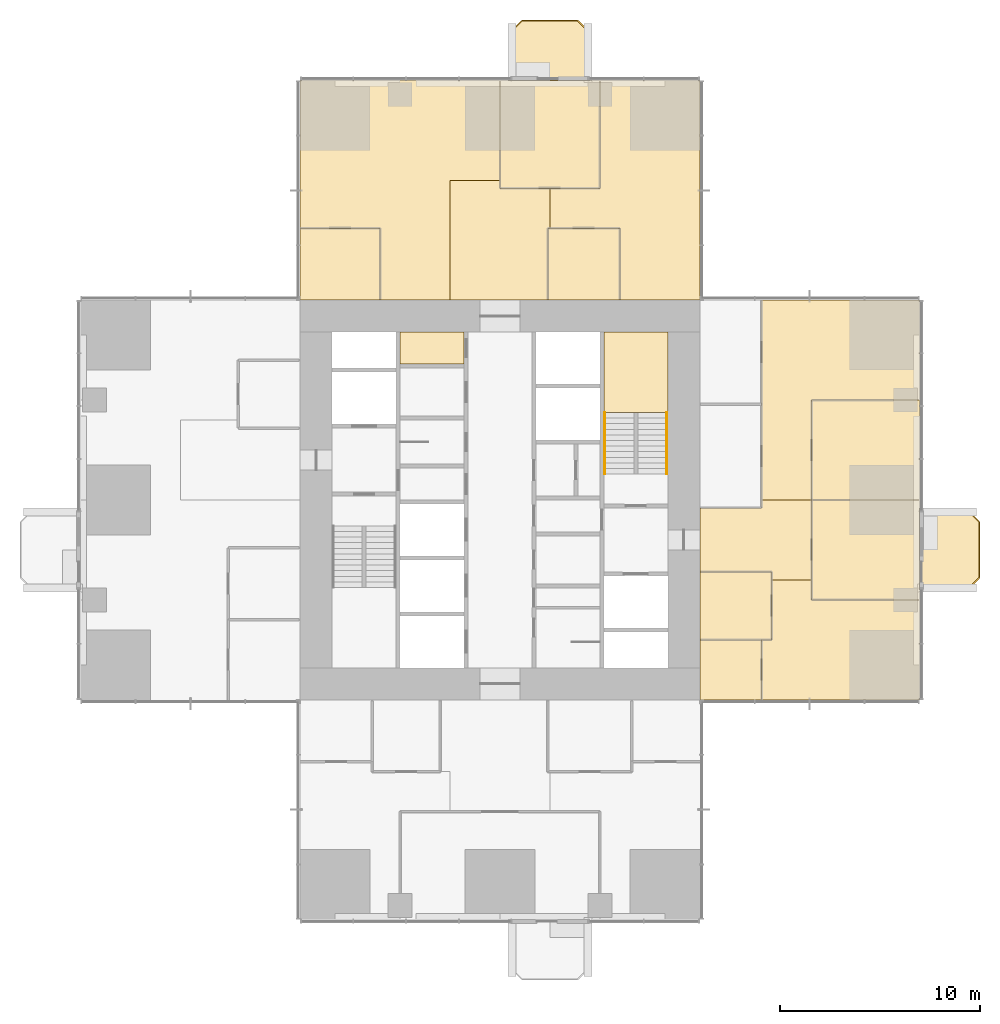
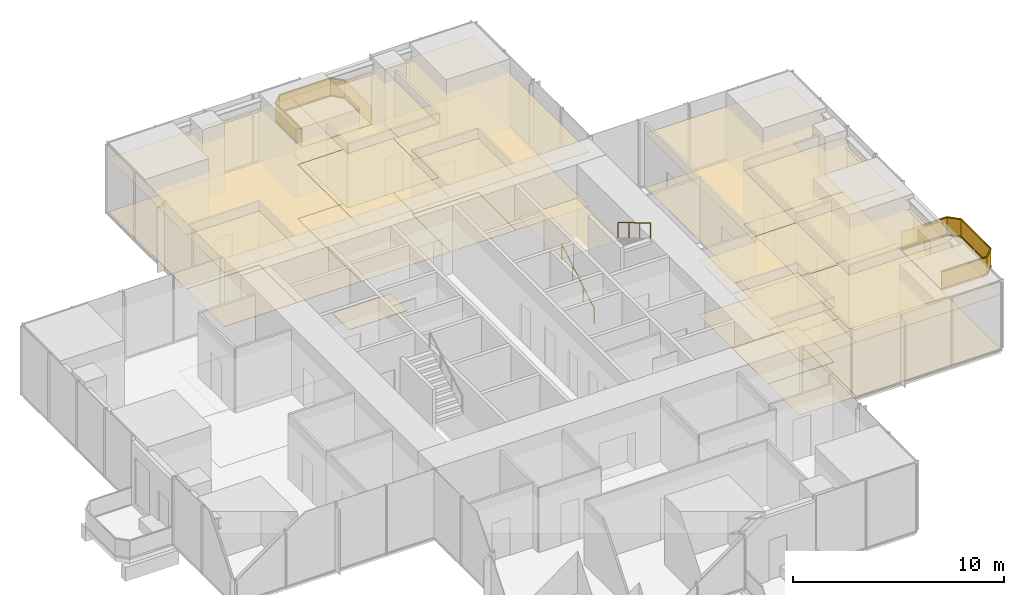
# One storey, part 12 of 13: 30 coverings, 4 railings.
"""IFC4 building model written with IfcOpenShell, lengths in metres."""

import ifcopenshell
import ifcopenshell.guid

model = None  # the IFC model being written
_history = None  # IfcOwnerHistory: only IFC2X3 demands one
_inside = {}  # id of a spatial element -> (the spatial element, [elements in it])
_under = {}  # id of a project, library or spatial element -> (it, [spatial elements below it])
_declared = {}  # id of a project -> (the project, [libraries it declares])
_typed = {}  # id of a type object -> (the type object, [elements of that type])
_made_of = {}  # id of a material, layer set ... -> (it, [elements and type objects made of it])


def new_model(schema):
    """Start an empty IFC model of exactly this schema.

    Asked for "IFC4X3", IfcOpenShell would pick the latest addendum, in which some entities
    have other attributes; the version numbers below select the first issue.
    IFC2X3 requires an IfcOwnerHistory on every rooted entity: one is made here for all.
    """
    global model, _history
    if schema == "IFC4X3":
        model = ifcopenshell.file(schema_version=(4, 3, 0, 0))
    else:
        model = ifcopenshell.file(schema=schema)
    _inside.clear()
    _under.clear()
    _declared.clear()
    _typed.clear()
    _made_of.clear()
    _history = None
    if model.schema == "IFC2X3":
        org = make("IfcOrganization", Name="unknown")
        user = make(
            "IfcPersonAndOrganization",
            ThePerson=make("IfcPerson", FamilyName="unknown"),
            TheOrganization=org,
        )
        app = make(
            "IfcApplication",
            ApplicationDeveloper=org,
            Version="unknown",
            ApplicationFullName="unknown",
            ApplicationIdentifier="unknown",
        )
        _history = make(
            "IfcOwnerHistory",
            OwningUser=user,
            OwningApplication=app,
            ChangeAction="ADDED",
            CreationDate=0,
        )
    return model


def make(cls, **values):
    """One entity of the class cls with the attributes given. An attribute that is None is left unset."""
    return model.create_entity(
        cls, **{name: value for name, value in values.items() if value is not None}
    )


def rooted(cls, **values):
    """An entity with a GlobalId (a new one), such as an element, a storey or a relation."""
    return make(cls, GlobalId=ifcopenshell.guid.new(), OwnerHistory=_history, **values)


def si_unit(unit_type, name, prefix=None):
    """IfcSIUnit, for example si_unit("LENGTHUNIT", "METRE", prefix="MILLI")."""
    return make("IfcSIUnit", UnitType=unit_type, Prefix=prefix, Name=name)


def assignment(units):
    """IfcUnitAssignment: the units of a project."""
    return None if units is None else make("IfcUnitAssignment", Units=units)


def point(xyz):
    """IfcCartesianPoint."""
    return None if xyz is None else make("IfcCartesianPoint", Coordinates=xyz)


def direction(xyz):
    """IfcDirection."""
    return None if xyz is None else make("IfcDirection", DirectionRatios=xyz)


def frame(location, z_axis=None, x_axis=None):
    """IfcAxis2Placement3D, a coordinate frame: its origin and axes. An axis left out is left unset."""
    return make(
        "IfcAxis2Placement3D",
        Location=point(location),
        Axis=direction(z_axis),
        RefDirection=direction(x_axis),
    )


def frame_2d(location, x_axis=None):
    """IfcAxis2Placement2D, a coordinate frame in the plane: its origin and x axis."""
    return make(
        "IfcAxis2Placement2D", Location=point(location), RefDirection=direction(x_axis)
    )


def origin():
    """The frame at (0, 0, 0) with its axes left unset."""
    return frame((0.0, 0.0, 0.0))


def origin_2d():
    """The frame at (0, 0) in the plane with its x axis left unset."""
    return frame_2d((0.0, 0.0))


def place(relative_to, where):
    """IfcLocalPlacement: puts the frame where relative to a parent placement (None: the world)."""
    return make(
        "IfcLocalPlacement", PlacementRelTo=relative_to, RelativePlacement=where
    )


def context(
    kind, dimensions, precision=None, world=None, true_north=None, identifier=None
):
    """IfcGeometricRepresentationContext, for example the 3D "Model" context."""
    return make(
        "IfcGeometricRepresentationContext",
        ContextIdentifier=identifier,
        ContextType=kind,
        CoordinateSpaceDimension=dimensions,
        Precision=precision,
        WorldCoordinateSystem=world,
        TrueNorth=true_north,
    )


def subcontext(parent, identifier, kind, view, scale=None):
    """IfcGeometricRepresentationSubContext, for example "Body" below "Model"."""
    return make(
        "IfcGeometricRepresentationSubContext",
        ContextIdentifier=identifier,
        ContextType=kind,
        ParentContext=parent,
        TargetScale=scale,
        TargetView=view,
    )


def project(units=None, contexts=None):
    """IfcProject with its units and contexts."""
    return rooted(
        "IfcProject",
        Name="project",
        RepresentationContexts=contexts,
        UnitsInContext=assignment(units),
    )


def spatial(cls, under=None, at=None, **own):
    """A site, building, storey or space (cls), placed at a placement, below another one or the project."""
    s = rooted(cls, ObjectPlacement=at, **own)
    if under is not None:
        _under.setdefault(under.id(), (under, []))[1].append(s)
    return s


def polyline(points):
    """IfcPolyline through the points."""
    return make("IfcPolyline", Points=[point(p) for p in points])


def profile(cls, at=None, kind="AREA", **sizes):
    """A parametric profile (cls). Its sizes go by their IFC names, for example OverallWidth=200.0."""
    return make(cls, ProfileType=kind, Position=at, **sizes)


def rectangle(**sizes):
    """IfcRectangleProfileDef."""
    return profile("IfcRectangleProfileDef", **sizes)


def circle(**sizes):
    """IfcCircleProfileDef."""
    return profile("IfcCircleProfileDef", **sizes)


def outline(outer, holes=None, kind="AREA"):
    """IfcArbitraryClosedProfileDef: a profile drawn as a closed curve; with holes, ...WithVoids."""
    if holes is None:
        return make("IfcArbitraryClosedProfileDef", ProfileType=kind, OuterCurve=outer)
    return make(
        "IfcArbitraryProfileDefWithVoids",
        ProfileType=kind,
        OuterCurve=outer,
        InnerCurves=holes,
    )


def extrude(swept, where, along, depth):
    """IfcExtrudedAreaSolid: the profile swept, set in the frame where, extruded along a direction by depth."""
    return make(
        "IfcExtrudedAreaSolid",
        SweptArea=swept,
        Position=where,
        ExtrudedDirection=direction(along),
        Depth=depth,
    )


def shape(context_of_items, identifier, shape_type, items):
    """IfcShapeRepresentation: the items that make up one representation, for example the "Body"."""
    return make(
        "IfcShapeRepresentation",
        ContextOfItems=context_of_items,
        RepresentationIdentifier=identifier,
        RepresentationType=shape_type,
        Items=items,
    )


def material(Name=None, Category=None):
    """IfcMaterial."""
    return make("IfcMaterial", Name=Name, Category=Category)


def layer(
    of_material, thickness, ventilated=None, Name=None, Category=None, Priority=None
):
    """IfcMaterialLayer: one layer of a wall or slab, of a material (None: an air gap)."""
    return make(
        "IfcMaterialLayer",
        Material=of_material,
        LayerThickness=thickness,
        IsVentilated=ventilated,
        Name=Name,
        Category=Category,
        Priority=Priority,
    )


def layer_set(layers, Name=None):
    """IfcMaterialLayerSet."""
    return make("IfcMaterialLayerSet", MaterialLayers=layers, LayerSetName=Name)


def made_of(thing, what):
    """Note that an element or type object is made of a material, layer set ...; save() writes the relation."""
    if what is not None:
        _made_of.setdefault(what.id(), (what, []))[1].append(thing)
    return thing


def type_object(cls, material=None, **own):
    """A type object (cls), such as IfcWallType, which elements share."""
    return made_of(rooted(cls, **own), material)


def element(
    cls,
    number,
    at=None,
    inside=None,
    cuts=None,
    type_object=None,
    material=None,
    context=None,
    identifier="Body",
    shape_type=None,
    held_by="IfcProductDefinitionShape",
    body=None,
    shapes=None,
    **own,
):
    """One element of the class cls, such as IfcWall. Its Tag is "e" and its number.

    at: its placement. inside: the storey or other place that contains it. cuts: it is an
    opening in that element (IfcRelVoidsElement). A single representation is given by context,
    identifier, shape_type and body (its items); several are given by shapes. held_by: the class
    of the entity that holds the representations. save() writes the other relations.
    """
    e = rooted(cls, Tag="e%d" % number, ObjectPlacement=at, **own)
    if body is not None:
        shapes = [shape(context, identifier, shape_type, body)]
    if shapes is not None:
        e.Representation = make(held_by, Representations=shapes)
    if inside is not None:
        _inside.setdefault(inside.id(), (inside, []))[1].append(e)
    if cuts is not None:
        rooted(
            "IfcRelVoidsElement", RelatingBuildingElement=cuts, RelatedOpeningElement=e
        )
    if type_object is not None:
        _typed.setdefault(type_object.id(), (type_object, []))[1].append(e)
    return made_of(e, material)


def aggregate(whole, parts):
    """IfcRelAggregates: a whole, such as a stair, and the parts it consists of."""
    return rooted("IfcRelAggregates", RelatingObject=whole, RelatedObjects=parts)


def save(model, path):
    """Write the relations noted so far, then the file.

    IfcRelAggregates (storeys below a building ...), IfcRelContainedInSpatialStructure (elements
    in a storey), IfcRelDefinesByType, IfcRelAssociatesMaterial and IfcRelDeclares: one each for
    every whole, place, type object, material and project.
    """
    for whole, parts in _under.values():
        aggregate(whole, parts)
    for where, things in _inside.values():
        rooted(
            "IfcRelContainedInSpatialStructure",
            RelatedElements=things,
            RelatingStructure=where,
        )
    for kind, things in _typed.values():
        rooted("IfcRelDefinesByType", RelatedObjects=things, RelatingType=kind)
    for what, things in _made_of.values():
        rooted("IfcRelAssociatesMaterial", RelatedObjects=things, RelatingMaterial=what)
    for by, libraries in _declared.values():
        rooted("IfcRelDeclares", RelatingContext=by, RelatedDefinitions=libraries)
    model.write(path)


model = new_model("IFC4")

# Units and contexts
model_context = context("Model", 3, precision=1e-05, world=origin(), true_north=direction((0.0, 1.0)))
body_context = subcontext(model_context, "Body", "Model", "MODEL_VIEW")
ifc_project = project(units=[si_unit("LENGTHUNIT", "METRE"), si_unit("AREAUNIT", "SQUARE_METRE"), si_unit("VOLUMEUNIT", "CUBIC_METRE"), si_unit("PLANEANGLEUNIT", "RADIAN"), si_unit("MASSUNIT", "GRAM", prefix="KILO")], contexts=[model_context])

# Site, building, storey
site_placement = place(None, origin())
site = spatial("IfcSite", under=ifc_project, at=site_placement, CompositionType="ELEMENT")
building_placement = place(site_placement, origin())
building = spatial("IfcBuilding", under=site, at=building_placement, Name="Svetlomir Tower", CompositionType="ELEMENT")
storey_placement = place(building_placement, frame((0.0, 0.0, 96.5)))
storey = spatial("IfcBuildingStorey", under=building, at=storey_placement, Name="L22", CompositionType="ELEMENT", Elevation=96.5)

# Railings
ifc_material_1 = material(Name="Bronze anodised aluminium and laminated glass", Category="aluminium")
railing_type_1 = type_object("IfcRailingType", Name="BALCONY GUARD GR1 1100", PredefinedType="GUARDRAIL", material=ifc_material_1)
railing_1_placement = place(storey_placement, frame((42.0, 16.60009765625, 0.0)))
element("IfcRailing", 1, at=railing_1_placement, inside=storey, type_object=railing_type_1, Name="Balcony guard E L22", PredefinedType="GUARDRAIL", context=body_context, shape_type="SweptSolid", body=[
    extrude(rectangle(XDim=0.06005859375, YDim=0.10009765625, at=origin_2d()), frame((0.0, 0.0, 0.050048828125), z_axis=(1.0, 0.0, 0.0), x_axis=(0.0, 1.0, 0.0)), (0.0, 0.0, 1.0), 2.5),
    extrude(rectangle(XDim=0.021484375, YDim=0.960205078125, at=origin_2d()), frame((0.0, 0.0, 0.580078125), z_axis=(1.0, 0.0, 0.0), x_axis=(0.0, 1.0, 0.0)), (0.0, 0.0, 1.0), 2.5),
    extrude(rectangle(XDim=0.06005859375, YDim=0.0400390625, at=origin_2d()), frame((0.0, 0.0, 1.080078125), z_axis=(1.0, 0.0, 0.0), x_axis=(0.0, 1.0, 0.0)), (0.0, 0.0, 1.0), 2.5),
    extrude(rectangle(XDim=0.06005859375, YDim=0.10009765625, at=origin_2d()), frame((2.5, 0.0, 0.050048828125), z_axis=(0.707106781187, 0.707106781187, 0.0), x_axis=(-0.707106781187, 0.707106781187, 0.0)), (0.0, 0.0, 1.0), 0.70703125),
    extrude(rectangle(XDim=0.021484375, YDim=0.960205078125, at=origin_2d()), frame((2.5, 0.0, 0.580078125), z_axis=(0.707106781187, 0.707106781187, 0.0), x_axis=(-0.707106781187, 0.707106781187, 0.0)), (0.0, 0.0, 1.0), 0.70703125),
    extrude(rectangle(XDim=0.06005859375, YDim=0.0400390625, at=origin_2d()), frame((2.5, 0.0, 1.080078125), z_axis=(0.707106781187, 0.707106781187, 0.0), x_axis=(-0.707106781187, 0.707106781187, 0.0)), (0.0, 0.0, 1.0), 0.70703125),
    extrude(rectangle(XDim=0.06005859375, YDim=0.10009765625, at=origin_2d()), frame((3.0, 0.5, 0.050048828125), z_axis=(0.0, 1.0, 0.0), x_axis=(-1.0, 0.0, 0.0)), (0.0, 0.0, 1.0), 2.7998046875),
    extrude(rectangle(XDim=0.021484375, YDim=0.960205078125, at=origin_2d()), frame((3.0, 0.5, 0.580078125), z_axis=(0.0, 1.0, 0.0), x_axis=(-1.0, 0.0, 0.0)), (0.0, 0.0, 1.0), 2.7998046875),
    extrude(rectangle(XDim=0.06005859375, YDim=0.0400390625, at=origin_2d()), frame((3.0, 0.5, 1.080078125), z_axis=(0.0, 1.0, 0.0), x_axis=(-1.0, 0.0, 0.0)), (0.0, 0.0, 1.0), 2.7998046875),
    extrude(rectangle(XDim=0.06005859375, YDim=0.10009765625, at=origin_2d()), frame((3.0, 3.2998046875, 0.050048828125), z_axis=(-0.707106781187, 0.707106781187, 0.0), x_axis=(-0.707106781187, -0.707106781187, 0.0)), (0.0, 0.0, 1.0), 0.70703125),
    extrude(rectangle(XDim=0.021484375, YDim=0.960205078125, at=origin_2d()), frame((3.0, 3.2998046875, 0.580078125), z_axis=(-0.707106781187, 0.707106781187, 0.0), x_axis=(-0.707106781187, -0.707106781187, 0.0)), (0.0, 0.0, 1.0), 0.70703125),
    extrude(rectangle(XDim=0.06005859375, YDim=0.0400390625, at=origin_2d()), frame((3.0, 3.2998046875, 1.080078125), z_axis=(-0.707106781187, 0.707106781187, 0.0), x_axis=(-0.707106781187, -0.707106781187, 0.0)), (0.0, 0.0, 1.0), 0.70703125),
    extrude(rectangle(XDim=0.06005859375, YDim=0.10009765625, at=origin_2d()), frame((2.5, 3.7998046875, 0.050048828125), z_axis=(-1.0, 0.0, 0.0), x_axis=(0.0, -1.0, 0.0)), (0.0, 0.0, 1.0), 2.5),
    extrude(rectangle(XDim=0.021484375, YDim=0.960205078125, at=origin_2d()), frame((2.5, 3.7998046875, 0.580078125), z_axis=(-1.0, 0.0, 0.0), x_axis=(0.0, -1.0, 0.0)), (0.0, 0.0, 1.0), 2.5),
    extrude(rectangle(XDim=0.06005859375, YDim=0.0400390625, at=origin_2d()), frame((2.5, 3.7998046875, 1.080078125), z_axis=(-1.0, 0.0, 0.0), x_axis=(0.0, -1.0, 0.0)), (0.0, 0.0, 1.0), 2.5),
])
railing_2_placement = place(storey_placement, frame((25.39990234375, 42.0, 0.0)))
element("IfcRailing", 2, at=railing_2_placement, inside=storey, type_object=railing_type_1, Name="Balcony guard N L22", PredefinedType="GUARDRAIL", context=body_context, shape_type="SweptSolid", body=[
    extrude(rectangle(XDim=0.06005859375, YDim=0.10009765625, at=origin_2d()), frame((0.0, 0.0, 0.050048828125), z_axis=(0.0, 1.0, 0.0), x_axis=(-1.0, 0.0, 0.0)), (0.0, 0.0, 1.0), 2.5),
    extrude(rectangle(XDim=0.021484375, YDim=0.960205078125, at=origin_2d()), frame((0.0, 0.0, 0.580078125), z_axis=(0.0, 1.0, 0.0), x_axis=(-1.0, 0.0, 0.0)), (0.0, 0.0, 1.0), 2.5),
    extrude(rectangle(XDim=0.06005859375, YDim=0.0400390625, at=origin_2d()), frame((0.0, 0.0, 1.080078125), z_axis=(0.0, 1.0, 0.0), x_axis=(-1.0, 0.0, 0.0)), (0.0, 0.0, 1.0), 2.5),
    extrude(rectangle(XDim=0.06005859375, YDim=0.10009765625, at=origin_2d()), frame((0.0, 2.5, 0.050048828125), z_axis=(-0.707106781187, 0.707106781187, 0.0), x_axis=(-0.707106781187, -0.707106781187, 0.0)), (0.0, 0.0, 1.0), 0.70703125),
    extrude(rectangle(XDim=0.021484375, YDim=0.960205078125, at=origin_2d()), frame((0.0, 2.5, 0.580078125), z_axis=(-0.707106781187, 0.707106781187, 0.0), x_axis=(-0.707106781187, -0.707106781187, 0.0)), (0.0, 0.0, 1.0), 0.70703125),
    extrude(rectangle(XDim=0.06005859375, YDim=0.0400390625, at=origin_2d()), frame((0.0, 2.5, 1.080078125), z_axis=(-0.707106781187, 0.707106781187, 0.0), x_axis=(-0.707106781187, -0.707106781187, 0.0)), (0.0, 0.0, 1.0), 0.70703125),
    extrude(rectangle(XDim=0.06005859375, YDim=0.10009765625, at=origin_2d()), frame((-0.5, 3.0, 0.050048828125), z_axis=(-1.0, 0.0, 0.0), x_axis=(0.0, -1.0, 0.0)), (0.0, 0.0, 1.0), 2.7998046875),
    extrude(rectangle(XDim=0.021484375, YDim=0.960205078125, at=origin_2d()), frame((-0.5, 3.0, 0.580078125), z_axis=(-1.0, 0.0, 0.0), x_axis=(0.0, -1.0, 0.0)), (0.0, 0.0, 1.0), 2.7998046875),
    extrude(rectangle(XDim=0.06005859375, YDim=0.0400390625, at=origin_2d()), frame((-0.5, 3.0, 1.080078125), z_axis=(-1.0, 0.0, 0.0), x_axis=(0.0, -1.0, 0.0)), (0.0, 0.0, 1.0), 2.7998046875),
    extrude(rectangle(XDim=0.06005859375, YDim=0.10009765625, at=origin_2d()), frame((-3.2998046875, 3.0, 0.050048828125), z_axis=(-0.707106781187, -0.707106781187, 0.0), x_axis=(0.707106781187, -0.707106781187, 0.0)), (0.0, 0.0, 1.0), 0.70703125),
    extrude(rectangle(XDim=0.021484375, YDim=0.960205078125, at=origin_2d()), frame((-3.2998046875, 3.0, 0.580078125), z_axis=(-0.707106781187, -0.707106781187, 0.0), x_axis=(0.707106781187, -0.707106781187, 0.0)), (0.0, 0.0, 1.0), 0.70703125),
    extrude(rectangle(XDim=0.06005859375, YDim=0.0400390625, at=origin_2d()), frame((-3.2998046875, 3.0, 1.080078125), z_axis=(-0.707106781187, -0.707106781187, 0.0), x_axis=(0.707106781187, -0.707106781187, 0.0)), (0.0, 0.0, 1.0), 0.70703125),
    extrude(rectangle(XDim=0.06005859375, YDim=0.10009765625, at=origin_2d()), frame((-3.7998046875, 2.5, 0.050048828125), z_axis=(0.0, -1.0, 0.0), x_axis=(1.0, 0.0, 0.0)), (0.0, 0.0, 1.0), 2.5),
    extrude(rectangle(XDim=0.021484375, YDim=0.960205078125, at=origin_2d()), frame((-3.7998046875, 2.5, 0.580078125), z_axis=(0.0, -1.0, 0.0), x_axis=(1.0, 0.0, 0.0)), (0.0, 0.0, 1.0), 2.5),
    extrude(rectangle(XDim=0.06005859375, YDim=0.0400390625, at=origin_2d()), frame((-3.7998046875, 2.5, 1.080078125), z_axis=(0.0, -1.0, 0.0), x_axis=(1.0, 0.0, 0.0)), (0.0, 0.0, 1.0), 2.5),
])

# Coverings
ifc_material_2 = material(Name="Granite paving slabs on pedestals", Category="masonry")
ifc_layer_1 = layer(ifc_material_2, 0.0400390625)
ifc_layer_set_1 = layer_set([ifc_layer_1], Name="Granite paving slabs on pedestals")
covering_type_1 = type_object("IfcCoveringType", Name="BALCONY PAVING 40", PredefinedType="USERDEFINED", material=ifc_layer_set_1)
covering_1_placement = place(storey_placement, origin())
element("IfcCovering", 3, at=covering_1_placement, inside=storey, type_object=covering_type_1, Name="Balcony paving E L22", ObjectType="BALCONY PAVING", PredefinedType="USERDEFINED", context=body_context, shape_type="SweptSolid", body=[
    extrude(outline(polyline([(42.0, 16.60009765625), (44.5, 16.60009765625), (45.0, 17.10009765625), (45.0, 19.89990234375), (44.5, 20.39990234375), (42.0, 20.39990234375), (42.0, 16.60009765625)])), origin(), (0.0, 0.0, 1.0), 0.0400390625),
])
covering_2_placement = place(storey_placement, origin())
element("IfcCovering", 4, at=covering_2_placement, inside=storey, type_object=covering_type_1, Name="Balcony paving N L22", ObjectType="BALCONY PAVING", PredefinedType="USERDEFINED", context=body_context, shape_type="SweptSolid", body=[
    extrude(outline(polyline([(21.60009765625, 42.0), (25.39990234375, 42.0), (25.39990234375, 44.5), (24.89990234375, 45.0), (22.10009765625, 45.0), (21.60009765625, 44.5), (21.60009765625, 42.0)])), origin(), (0.0, 0.0, 1.0), 0.0400390625),
])
ifc_material_3 = material(Name="Carpet tile", Category="textile")
ifc_layer_2 = layer(ifc_material_3, 0.010009765625)
ifc_layer_set_2 = layer_set([ifc_layer_2], Name="Carpet tile")
covering_type_2 = type_object("IfcCoveringType", Name="CARPET TILE FLOOR 10", PredefinedType="FLOORING", material=ifc_layer_set_2)
covering_3_placement = place(storey_placement, origin())
element("IfcCovering", 5, at=covering_3_placement, inside=storey, type_object=covering_type_2, Name="Floor finish L22-21", PredefinedType="FLOORING", context=body_context, shape_type="SweptSolid", body=[
    extrude(outline(polyline([(31.0, 11.0), (34.10009765625, 11.0), (34.10009765625, 14.0), (31.0, 14.0), (31.0, 11.0)])), origin(), (0.0, 0.0, 1.0), 0.010009765625),
])
covering_4_placement = place(storey_placement, origin())
element("IfcCovering", 6, at=covering_4_placement, inside=storey, type_object=covering_type_2, Name="Floor finish L22-22", PredefinedType="FLOORING", context=body_context, shape_type="SweptSolid", body=[
    extrude(outline(polyline([(31.0, 14.0), (34.60009765625, 14.0), (34.60009765625, 17.39990234375), (31.0, 17.39990234375), (31.0, 14.0)])), origin(), (0.0, 0.0, 1.0), 0.010009765625),
])
covering_5_placement = place(storey_placement, origin())
element("IfcCovering", 7, at=covering_5_placement, inside=storey, type_object=covering_type_2, Name="Floor finish L22-25", PredefinedType="FLOORING", context=body_context, shape_type="SweptSolid", body=[
    extrude(outline(polyline([(36.60009765625, 16.0), (42.0, 16.0), (42.0, 21.0), (36.60009765625, 21.0), (36.60009765625, 16.0)])), origin(), (0.0, 0.0, 1.0), 0.010009765625),
])
covering_6_placement = place(storey_placement, origin())
element("IfcCovering", 8, at=covering_6_placement, inside=storey, type_object=covering_type_2, Name="Floor finish L22-26", PredefinedType="FLOORING", context=body_context, shape_type="SweptSolid", body=[
    extrude(outline(polyline([(36.60009765625, 21.0), (42.0, 21.0), (42.0, 26.0), (36.60009765625, 26.0), (36.60009765625, 21.0)])), origin(), (0.0, 0.0, 1.0), 0.010009765625),
])
covering_7_placement = place(storey_placement, origin())
element("IfcCovering", 9, at=covering_7_placement, inside=storey, type_object=covering_type_2, Name="Floor finish L22-27", PredefinedType="FLOORING", context=body_context, shape_type="SweptSolid", body=[
    extrude(outline(polyline([(11.0, 31.0), (15.0, 31.0), (15.0, 34.60009765625), (11.0, 34.60009765625), (11.0, 31.0)])), origin(), (0.0, 0.0, 1.0), 0.010009765625),
])
covering_8_placement = place(storey_placement, origin())
element("IfcCovering", 10, at=covering_8_placement, inside=storey, type_object=covering_type_2, Name="Floor finish L22-28", PredefinedType="FLOORING", context=body_context, shape_type="SweptSolid", body=[
    extrude(outline(polyline([(23.39990234375, 31.0), (27.0, 31.0), (27.0, 34.60009765625), (23.39990234375, 34.60009765625), (23.39990234375, 31.0)])), origin(), (0.0, 0.0, 1.0), 0.010009765625),
])
covering_9_placement = place(storey_placement, origin())
element("IfcCovering", 11, at=covering_9_placement, inside=storey, type_object=covering_type_2, Name="Floor finish L22-29", PredefinedType="FLOORING", context=body_context, shape_type="SweptSolid", body=[
    extrude(outline(polyline([(21.0, 36.60009765625), (26.0, 36.60009765625), (26.0, 42.0), (21.0, 42.0), (21.0, 36.60009765625)])), origin(), (0.0, 0.0, 1.0), 0.010009765625),
])
covering_10_placement = place(storey_placement, origin())
element("IfcCovering", 12, at=covering_10_placement, inside=storey, type_object=covering_type_2, Name="Floor finish L22-34", PredefinedType="FLOORING", context=body_context, shape_type="SweptSolid", body=[
    extrude(outline(polyline([(31.0, 20.60009765625), (34.10009765625, 20.60009765625), (34.10009765625, 21.0), (36.60009765625, 21.0), (36.60009765625, 17.0), (34.60009765625, 17.0), (34.60009765625, 17.39990234375), (31.0, 17.39990234375), (31.0, 20.60009765625)])), origin(), (0.0, 0.0, 1.0), 0.010009765625),
])
covering_11_placement = place(storey_placement, origin())
element("IfcCovering", 13, at=covering_11_placement, inside=storey, type_object=covering_type_2, Name="Floor finish L22-36", PredefinedType="FLOORING", context=body_context, shape_type="SweptSolid", body=[
    extrude(outline(polyline([(18.5, 37.0), (21.0, 37.0), (21.0, 36.60009765625), (23.5, 36.60009765625), (23.5, 34.60009765625), (23.39990234375, 34.60009765625), (23.39990234375, 31.0), (18.5, 31.0), (18.5, 37.0)])), origin(), (0.0, 0.0, 1.0), 0.010009765625),
])
covering_12_placement = place(storey_placement, origin())
element("IfcCovering", 14, at=covering_12_placement, inside=storey, type_object=covering_type_2, Name="Floor finish L22-39", PredefinedType="FLOORING", context=body_context, shape_type="SweptSolid", body=[
    extrude(outline(polyline([(34.10009765625, 14.0), (34.60009765625, 14.0), (34.60009765625, 17.0), (36.60009765625, 17.0), (36.60009765625, 16.0), (42.0, 16.0), (42.0, 11.0), (34.10009765625, 11.0), (34.10009765625, 14.0)])), origin(), (0.0, 0.0, 1.0), 0.010009765625),
])
covering_13_placement = place(storey_placement, origin())
element("IfcCovering", 15, at=covering_13_placement, inside=storey, type_object=covering_type_2, Name="Floor finish L22-40", PredefinedType="FLOORING", context=body_context, shape_type="SweptSolid", body=[
    extrude(outline(polyline([(34.10009765625, 31.0), (42.0, 31.0), (42.0, 26.0), (36.60009765625, 26.0), (36.60009765625, 21.0), (34.10009765625, 21.0), (34.10009765625, 31.0)])), origin(), (0.0, 0.0, 1.0), 0.010009765625),
])
covering_14_placement = place(storey_placement, origin())
element("IfcCovering", 16, at=covering_14_placement, inside=storey, type_object=covering_type_2, Name="Floor finish L22-41", PredefinedType="FLOORING", context=body_context, shape_type="SweptSolid", body=[
    extrude(outline(polyline([(27.0, 31.0), (27.0, 34.60009765625), (23.5, 34.60009765625), (23.5, 36.60009765625), (26.0, 36.60009765625), (26.0, 42.0), (31.0, 42.0), (31.0, 31.0), (27.0, 31.0)])), origin(), (0.0, 0.0, 1.0), 0.010009765625),
])
covering_15_placement = place(storey_placement, origin())
element("IfcCovering", 17, at=covering_15_placement, inside=storey, type_object=covering_type_2, Name="Floor finish L22-42", PredefinedType="FLOORING", context=body_context, shape_type="SweptSolid", body=[
    extrude(outline(polyline([(15.0, 34.60009765625), (11.0, 34.60009765625), (11.0, 42.0), (21.0, 42.0), (21.0, 37.0), (18.5, 37.0), (18.5, 31.0), (15.0, 31.0), (15.0, 34.60009765625)])), origin(), (0.0, 0.0, 1.0), 0.010009765625),
])

# Railings
ifc_material_4 = material(Name="Stainless steel", Category="steel")
railing_type_2 = type_object("IfcRailingType", Name="HANDRAIL HR1 900", PredefinedType="HANDRAIL", material=ifc_material_4)
railing_3_placement = place(storey_placement, frame((26.25, 22.300048828125, 0.166748046875)))
element("IfcRailing", 18, at=railing_3_placement, inside=storey, type_object=railing_type_2, Name="Handrail S2 flight 1 L22", PredefinedType="HANDRAIL", context=body_context, shape_type="SweptSolid", body=[
    extrude(circle(Radius=0.02392578125, at=origin_2d()), frame((0.0, 0.0, 0.8759765625), z_axis=(0.0, 0.859290745958, 0.51148745235), x_axis=(-1.0, 0.0, 0.0)), (0.0, 0.0, 1.0), 3.584228515625),
    extrude(circle(Radius=0.02099609375, at=origin_2d()), origin(), (0.0, 0.0, 1.0), 0.851806640625),
    extrude(circle(Radius=0.02099609375, at=origin_2d()), frame((0.0, 1.026611328125, 0.611083984375)), (0.0, 0.0, 1.0), 0.851806640625),
    extrude(circle(Radius=0.02099609375, at=origin_2d()), frame((0.0, 2.05322265625, 1.22216796875)), (0.0, 0.0, 1.0), 0.851806640625),
    extrude(circle(Radius=0.02099609375, at=origin_2d()), frame((0.0, 3.079833984375, 1.833251953125)), (0.0, 0.0, 1.0), 0.851806640625),
])
railing_4_placement = place(storey_placement, frame((29.35009765625, 25.3798828125, 2.166748046875)))
element("IfcRailing", 19, at=railing_4_placement, inside=storey, type_object=railing_type_2, Name="Handrail S2 flight 2 L22", PredefinedType="HANDRAIL", context=body_context, shape_type="SweptSolid", body=[
    extrude(circle(Radius=0.02392578125, at=origin_2d()), frame((0.0, 0.0, 0.8759765625), z_axis=(0.0, -0.859290745958, 0.51148745235), x_axis=(1.0, 0.0, 0.0)), (0.0, 0.0, 1.0), 3.584228515625),
    extrude(circle(Radius=0.02099609375, at=origin_2d()), origin(), (0.0, 0.0, 1.0), 0.851806640625),
    extrude(circle(Radius=0.02099609375, at=origin_2d()), frame((0.0, -1.026611328125, 0.611083984375)), (0.0, 0.0, 1.0), 0.851806640625),
    extrude(circle(Radius=0.02099609375, at=origin_2d()), frame((0.0, -2.05322265625, 1.22216796875)), (0.0, 0.0, 1.0), 0.851806640625),
    extrude(circle(Radius=0.02099609375, at=origin_2d()), frame((0.0, -3.079833984375, 1.833251953125)), (0.0, 0.0, 1.0), 0.851806640625),
])

# Coverings
ifc_material_5 = material(Name="Studded rubber floor finish", Category="rubber")
ifc_layer_3 = layer(ifc_material_5, 0.006103515625)
ifc_layer_set_3 = layer_set([ifc_layer_3], Name="Studded rubber floor finish")
covering_type_3 = type_object("IfcCoveringType", Name="RUBBER LANDING FINISH 6", PredefinedType="FLOORING", material=ifc_layer_set_3)
covering_16_placement = place(storey_placement, frame((0.0, 0.0, 2.0)))
element("IfcCovering", 20, at=covering_16_placement, inside=storey, type_object=covering_type_3, Name="Stair S2 landing finish L22", PredefinedType="FLOORING", context=body_context, shape_type="SweptSolid", body=[
    extrude(outline(polyline([(26.199951171875, 25.3798828125), (29.39990234375, 25.3798828125), (29.39990234375, 29.39990234375), (26.199951171875, 29.39990234375), (26.199951171875, 25.3798828125)])), origin(), (0.0, 0.0, 1.0), 0.006103515625),
])
ifc_material_6 = material(Name="Mineral fibre ceiling tile", Category="mineral")
ifc_layer_4 = layer(ifc_material_6, 0.02001953125)
ifc_layer_set_4 = layer_set([ifc_layer_4], Name="Mineral fibre ceiling tile")
covering_type_4 = type_object("IfcCoveringType", Name="SUSPENDED CEILING 20", PredefinedType="CEILING", material=ifc_layer_set_4)
covering_17_placement = place(storey_placement, frame((0.0, 0.0, 3.1298828125)))
element("IfcCovering", 21, at=covering_17_placement, inside=storey, type_object=covering_type_4, Name="Ceiling L22-21", PredefinedType="CEILING", context=body_context, shape_type="SweptSolid", body=[
    extrude(outline(polyline([(31.0, 11.0), (34.10009765625, 11.0), (34.10009765625, 14.0), (31.0, 14.0), (31.0, 11.0)])), origin(), (0.0, 0.0, 1.0), 0.02001953125),
])
covering_18_placement = place(storey_placement, frame((0.0, 0.0, 3.1298828125)))
element("IfcCovering", 22, at=covering_18_placement, inside=storey, type_object=covering_type_4, Name="Ceiling L22-22", PredefinedType="CEILING", context=body_context, shape_type="SweptSolid", body=[
    extrude(outline(polyline([(31.0, 14.0), (34.60009765625, 14.0), (34.60009765625, 17.39990234375), (31.0, 17.39990234375), (31.0, 14.0)])), origin(), (0.0, 0.0, 1.0), 0.02001953125),
])
covering_19_placement = place(storey_placement, frame((0.0, 0.0, 3.1298828125)))
element("IfcCovering", 23, at=covering_19_placement, inside=storey, type_object=covering_type_4, Name="Ceiling L22-25", PredefinedType="CEILING", context=body_context, shape_type="SweptSolid", body=[
    extrude(outline(polyline([(36.60009765625, 16.0), (42.0, 16.0), (42.0, 21.0), (36.60009765625, 21.0), (36.60009765625, 16.0)])), origin(), (0.0, 0.0, 1.0), 0.02001953125),
])
covering_20_placement = place(storey_placement, frame((0.0, 0.0, 3.1298828125)))
element("IfcCovering", 24, at=covering_20_placement, inside=storey, type_object=covering_type_4, Name="Ceiling L22-26", PredefinedType="CEILING", context=body_context, shape_type="SweptSolid", body=[
    extrude(outline(polyline([(36.60009765625, 21.0), (42.0, 21.0), (42.0, 26.0), (36.60009765625, 26.0), (36.60009765625, 21.0)])), origin(), (0.0, 0.0, 1.0), 0.02001953125),
])
covering_21_placement = place(storey_placement, frame((0.0, 0.0, 3.1298828125)))
element("IfcCovering", 25, at=covering_21_placement, inside=storey, type_object=covering_type_4, Name="Ceiling L22-27", PredefinedType="CEILING", context=body_context, shape_type="SweptSolid", body=[
    extrude(outline(polyline([(11.0, 31.0), (15.0, 31.0), (15.0, 34.60009765625), (11.0, 34.60009765625), (11.0, 31.0)])), origin(), (0.0, 0.0, 1.0), 0.02001953125),
])
covering_22_placement = place(storey_placement, frame((0.0, 0.0, 3.1298828125)))
element("IfcCovering", 26, at=covering_22_placement, inside=storey, type_object=covering_type_4, Name="Ceiling L22-28", PredefinedType="CEILING", context=body_context, shape_type="SweptSolid", body=[
    extrude(outline(polyline([(23.39990234375, 31.0), (27.0, 31.0), (27.0, 34.60009765625), (23.39990234375, 34.60009765625), (23.39990234375, 31.0)])), origin(), (0.0, 0.0, 1.0), 0.02001953125),
])
covering_23_placement = place(storey_placement, frame((0.0, 0.0, 3.1298828125)))
element("IfcCovering", 27, at=covering_23_placement, inside=storey, type_object=covering_type_4, Name="Ceiling L22-29", PredefinedType="CEILING", context=body_context, shape_type="SweptSolid", body=[
    extrude(outline(polyline([(21.0, 36.60009765625), (26.0, 36.60009765625), (26.0, 42.0), (21.0, 42.0), (21.0, 36.60009765625)])), origin(), (0.0, 0.0, 1.0), 0.02001953125),
])
covering_24_placement = place(storey_placement, frame((0.0, 0.0, 3.1298828125)))
element("IfcCovering", 28, at=covering_24_placement, inside=storey, type_object=covering_type_4, Name="Ceiling L22-34", PredefinedType="CEILING", context=body_context, shape_type="SweptSolid", body=[
    extrude(outline(polyline([(31.0, 20.60009765625), (34.10009765625, 20.60009765625), (34.10009765625, 21.0), (36.60009765625, 21.0), (36.60009765625, 17.0), (34.60009765625, 17.0), (34.60009765625, 17.39990234375), (31.0, 17.39990234375), (31.0, 20.60009765625)])), origin(), (0.0, 0.0, 1.0), 0.02001953125),
])
covering_25_placement = place(storey_placement, frame((0.0, 0.0, 3.1298828125)))
element("IfcCovering", 29, at=covering_25_placement, inside=storey, type_object=covering_type_4, Name="Ceiling L22-36", PredefinedType="CEILING", context=body_context, shape_type="SweptSolid", body=[
    extrude(outline(polyline([(18.5, 37.0), (21.0, 37.0), (21.0, 36.60009765625), (23.5, 36.60009765625), (23.5, 34.60009765625), (23.39990234375, 34.60009765625), (23.39990234375, 31.0), (18.5, 31.0), (18.5, 37.0)])), origin(), (0.0, 0.0, 1.0), 0.02001953125),
])
covering_26_placement = place(storey_placement, frame((0.0, 0.0, 3.1298828125)))
element("IfcCovering", 30, at=covering_26_placement, inside=storey, type_object=covering_type_4, Name="Ceiling L22-39", PredefinedType="CEILING", context=body_context, shape_type="SweptSolid", body=[
    extrude(outline(polyline([(34.10009765625, 14.0), (34.60009765625, 14.0), (34.60009765625, 17.0), (36.60009765625, 17.0), (36.60009765625, 16.0), (42.0, 16.0), (42.0, 11.0), (34.10009765625, 11.0), (34.10009765625, 14.0)])), origin(), (0.0, 0.0, 1.0), 0.02001953125),
])
covering_27_placement = place(storey_placement, frame((0.0, 0.0, 3.1298828125)))
element("IfcCovering", 31, at=covering_27_placement, inside=storey, type_object=covering_type_4, Name="Ceiling L22-40", PredefinedType="CEILING", context=body_context, shape_type="SweptSolid", body=[
    extrude(outline(polyline([(34.10009765625, 31.0), (42.0, 31.0), (42.0, 26.0), (36.60009765625, 26.0), (36.60009765625, 21.0), (34.10009765625, 21.0), (34.10009765625, 31.0)])), origin(), (0.0, 0.0, 1.0), 0.02001953125),
])
covering_28_placement = place(storey_placement, frame((0.0, 0.0, 3.1298828125)))
element("IfcCovering", 32, at=covering_28_placement, inside=storey, type_object=covering_type_4, Name="Ceiling L22-41", PredefinedType="CEILING", context=body_context, shape_type="SweptSolid", body=[
    extrude(outline(polyline([(27.0, 31.0), (27.0, 34.60009765625), (23.5, 34.60009765625), (23.5, 36.60009765625), (26.0, 36.60009765625), (26.0, 42.0), (31.0, 42.0), (31.0, 31.0), (27.0, 31.0)])), origin(), (0.0, 0.0, 1.0), 0.02001953125),
])
covering_29_placement = place(storey_placement, frame((0.0, 0.0, 3.1298828125)))
element("IfcCovering", 33, at=covering_29_placement, inside=storey, type_object=covering_type_4, Name="Ceiling L22-42", PredefinedType="CEILING", context=body_context, shape_type="SweptSolid", body=[
    extrude(outline(polyline([(15.0, 34.60009765625), (11.0, 34.60009765625), (11.0, 42.0), (21.0, 42.0), (21.0, 37.0), (18.5, 37.0), (18.5, 31.0), (15.0, 31.0), (15.0, 34.60009765625)])), origin(), (0.0, 0.0, 1.0), 0.02001953125),
])
ifc_material_7 = material(Name="Bronze-aggregate terrazzo", Category="stone")
ifc_layer_5 = layer(ifc_material_7, 0.030029296875)
ifc_layer_set_5 = layer_set([ifc_layer_5], Name="Bronze-aggregate terrazzo")
covering_type_5 = type_object("IfcCoveringType", Name="TERRAZZO FLOOR 30", PredefinedType="FLOORING", material=ifc_layer_set_5)
covering_30_placement = place(storey_placement, origin())
element("IfcCovering", 34, at=covering_30_placement, inside=storey, type_object=covering_type_5, Name="Floor finish L22-06", PredefinedType="FLOORING", context=body_context, shape_type="SweptSolid", body=[
    extrude(outline(polyline([(16.0, 27.800048828125), (19.199951171875, 27.800048828125), (19.199951171875, 29.39990234375), (16.0, 29.39990234375), (16.0, 27.800048828125)])), origin(), (0.0, 0.0, 1.0), 0.030029296875),
])

save(model, "model.ifc")
